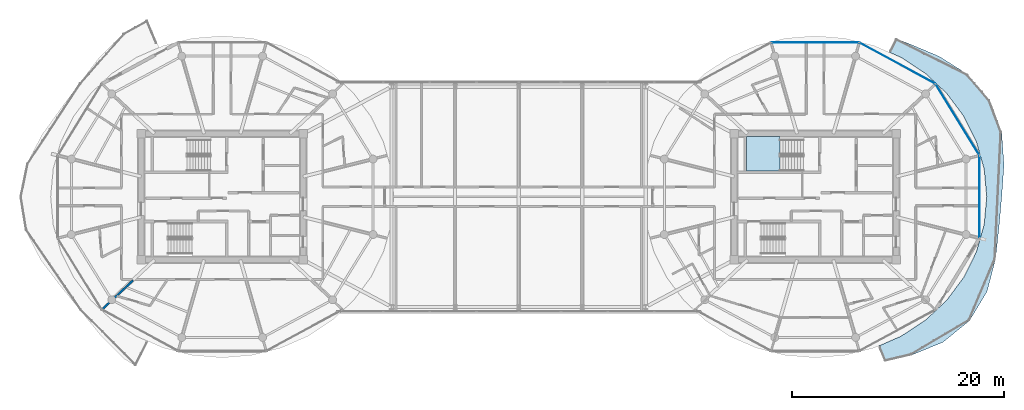
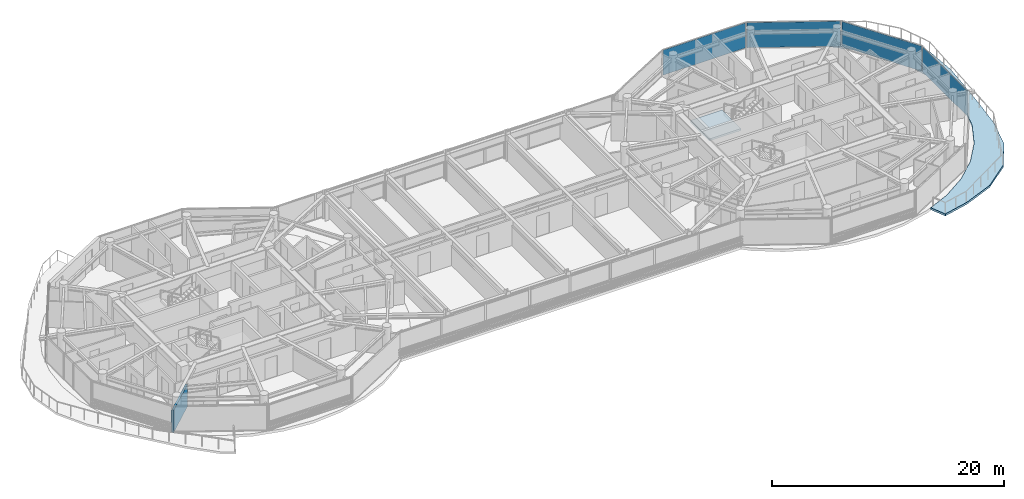
# One storey, part 13 of 23: 4 plates, 2 slabs, 1 wall, 5 elements without a shape of their own.
"""IFC4 building model written with IfcOpenShell, lengths in metres."""

from ifc_helpers import new_model, si_unit, direction, frame, frame_2d, origin, origin_2d, place, context, subcontext, project, spatial, polyline, rectangle, outline, extrude, source, transform, mapped, material, layer, layer_set, type_object, type_shapes, element, aggregate, save


model = new_model("IFC4")

# Units and contexts
model_context = context("Model", 3, precision=1e-05, world=origin(), true_north=direction((0.0, 1.0)))
body_context = subcontext(model_context, "Body", "Model", "MODEL_VIEW")
ifc_project = project(units=[si_unit("LENGTHUNIT", "METRE"), si_unit("AREAUNIT", "SQUARE_METRE"), si_unit("VOLUMEUNIT", "CUBIC_METRE"), si_unit("PLANEANGLEUNIT", "RADIAN"), si_unit("MASSUNIT", "GRAM", prefix="KILO")], contexts=[model_context])

# Site, building, storey
site_placement = place(None, origin())
site = spatial("IfcSite", under=ifc_project, at=site_placement, CompositionType="ELEMENT")
building_placement = place(site_placement, origin())
building = spatial("IfcBuilding", under=site, at=building_placement, Name="Norrkilde Senior Care Towers", CompositionType="ELEMENT")
storey_placement = place(building_placement, frame((0.0, 0.0, 207.800048828125)))
storey = spatial("IfcBuildingStorey", under=building, at=storey_placement, Name="L64", CompositionType="ELEMENT", Elevation=207.800048828125)

# Slab
ifc_material_1 = material(Name="Concrete C50/60", Category="concrete")
ifc_layer_1 = layer(ifc_material_1, 0.215087890625)
ifc_layer_set_1 = layer_set([ifc_layer_1], Name="Concrete C50/60")
slab_type_1 = type_object("IfcSlabType", Name="Sinusoidal Balcony Ribbon Slab 215", PredefinedType="FLOOR", material=ifc_layer_set_1)
slab_1_placement = place(storey_placement, frame((0.0, 0.0, -0.215087890625)))
element("IfcSlab", 1, at=slab_1_placement, inside=storey, type_object=slab_type_1, Name="L64 Drum E Swirling Senior Balcony 1", PredefinedType="FLOOR", context=body_context, shape_type="SweptSolid", body=[
    extrude(outline(polyline([(42.570068359375, -11.702392578125), (40.060791015625, -13.736572265625), (37.073486328125, -14.9609375), (34.580322265625, -15.55322265625), (33.966552734375, -14.1025390625), (36.1025390625, -13.16796875), (38.416259765625, -11.647705078125), (40.413818359375, -9.773681640625), (42.033935546875, -7.6025390625), (43.227783203125, -5.200439453125), (43.958740234375, -2.640380859375), (44.205078125, 0.0), (43.958740234375, 2.640380859375), (43.227783203125, 5.200439453125), (42.033935546875, 7.6025390625), (40.413818359375, 9.773681640625), (38.416259765625, 11.647705078125), (36.1025390625, 13.16796875), (34.976806640625, 13.660400390625), (35.631103515625, 14.94140625), (36.8134765625, 14.480712890625), (39.6943359375, 13.27099609375), (42.409423828125, 11.55859375), (44.495849609375, 9.11767578125), (45.608154296875, 6.1240234375), (45.832275390625, 2.992431640625), (45.616943359375, 0.0), (45.357666015625, -2.9033203125), (45.029296875, -5.8994140625), (44.227294921875, -8.952392578125), (42.570068359375, -11.702392578125)])), origin(), (0.0, 0.0, 1.0), 0.215087890625),
])

# Stair, slab
ifc_material_2 = material(Name="Concrete C45/55", Category="concrete")
stair_type = type_object("IfcStairType", Name="Core Protected Dogleg Stair Typical 3050", PredefinedType="HALF_TURN_STAIR", material=ifc_material_2)
stair_placement = place(storey_placement, origin())
stair = element("IfcStair", 2, at=stair_placement, inside=storey, type_object=stair_type, Name="L64 Protected Core Stair E1", PredefinedType="HALF_TURN_STAIR")
ifc_layer_2 = layer(ifc_material_2, 0.199951171875)
ifc_layer_set_2 = layer_set([ifc_layer_2], Name="Concrete C45/55")
slab_type_2 = type_object("IfcSlabType", Name="Stair Landing Slab 200", PredefinedType="LANDING", material=ifc_layer_set_2)
slab_2_placement = place(storey_placement, frame((0.0, 0.0, 1.324951171875)))
slab_2 = element("IfcSlab", 3, at=slab_2_placement, type_object=slab_type_2, Name="ST-E1 landing 1", PredefinedType="LANDING", context=body_context, shape_type="SweptSolid", body=[
    extrude(outline(polyline([(24.659912109375, 5.68994140625), (21.5, 5.68994140625), (21.5, 2.449951171875), (24.659912109375, 2.449951171875), (24.659912109375, 5.68994140625)])), origin(), (0.0, 0.0, 1.0), 0.199951171875),
])
aggregate(stair, [slab_2])

# Curtain wall, plate
ifc_material_3 = material(Name="Triple Low-E Insulated Glazing", Category="glass")
ifc_layer_3 = layer(ifc_material_3, 0.18505859375)
ifc_layer_set_3 = layer_set([ifc_layer_3], Name="Triple Low-E Insulated Glazing")
curtain_wall_type = type_object("IfcCurtainWallType", Name="CW6 Zone 4 Crown Pavilion Curtain Wall", PredefinedType="NOTDEFINED", material=ifc_layer_set_3)
curtain_wall_1_placement = place(storey_placement, origin())
curtain_wall_1 = element("IfcCurtainWall", 4, at=curtain_wall_1_placement, inside=storey, type_object=curtain_wall_type, Name="L64 Drum E Curtain Wall 00", PredefinedType="NOTDEFINED")
ifc_layer_4 = layer(ifc_material_3, 0.035888671875)
ifc_layer_set_4 = layer_set([ifc_layer_4], Name="Triple Low-E Insulated Glazing")
plate_type = type_object("IfcPlateType", Name="Triple Low-E Vision Curtain Panel 36", PredefinedType="CURTAIN_PANEL", material=ifc_layer_set_4)
shared_shape_1 = source(origin(), body_context, "Body", "SweptSolid", [
    extrude(rectangle(XDim=7.80859375, YDim=0.035888671875, at=origin_2d()), origin(), (0.0, 0.0, 1.0), 2.639892578125),
])
plate_1_placement = place(storey_placement, frame((41.451171875, 7.282958984375, 0.06005859375), z_axis=(0.0, 0.0, 1.0), x_axis=(0.524252726748, -0.851562727283, 0.0)))
plate_1 = element("IfcPlate", 5, at=plate_1_placement, type_object=plate_type, Name="CW-6 panel 1.1", PredefinedType="CURTAIN_PANEL", context=body_context, shape_type="MappedRepresentation", body=[
    mapped(shared_shape_1, transform((0.0, 0.0, 0.0), x_axis=(1.0, 0.0, 0.0), y_axis=(0.0, 1.0, 0.0), z_axis=(0.0, 0.0, 1.0), scale=1.0)),
])
aggregate(curtain_wall_1, [plate_1])

curtain_wall_2_placement = place(storey_placement, origin())
curtain_wall_2 = element("IfcCurtainWall", 6, at=curtain_wall_2_placement, inside=storey, type_object=curtain_wall_type, Name="L64 Drum E Curtain Wall 01", PredefinedType="NOTDEFINED")
shared_shape_2 = source(origin(), body_context, "Body", "SweptSolid", [
    extrude(rectangle(XDim=8.0673828125, YDim=0.035888671875, at=origin_2d()), origin(), (0.0, 0.0, 1.0), 2.639892578125),
])
plate_2_placement = place(storey_placement, frame((35.76611328125, 12.61474609375, 0.06005859375), z_axis=(0.0, 0.0, 1.0), x_axis=(0.879373455772, -0.476132676136, 0.0)))
plate_2 = element("IfcPlate", 7, at=plate_2_placement, type_object=plate_type, Name="CW-6 panel 1.1", PredefinedType="CURTAIN_PANEL", context=body_context, shape_type="MappedRepresentation", body=[
    mapped(shared_shape_2, transform((0.0, 0.0, 0.0), x_axis=(1.0, 0.0, 0.0), y_axis=(0.0, 1.0, 0.0), z_axis=(0.0, 0.0, 1.0), scale=1.0)),
])
aggregate(curtain_wall_2, [plate_2])

curtain_wall_3_placement = place(storey_placement, origin())
curtain_wall_3 = element("IfcCurtainWall", 8, at=curtain_wall_3_placement, inside=storey, type_object=curtain_wall_type, Name="L64 Drum E Curtain Wall 02", PredefinedType="NOTDEFINED")
shared_shape_3 = source(origin(), body_context, "Body", "SweptSolid", [
    extrude(rectangle(XDim=8.193603515625, YDim=0.035888671875, at=origin_2d()), origin(), (0.0, 0.0, 1.0), 2.639892578125),
])
plate_3_placement = place(storey_placement, frame((28.0, 14.566162109375, 0.06005859375), z_axis=(0.0, 0.0, 1.0), x_axis=(1.0, 0.0, 0.0)))
plate_3 = element("IfcPlate", 9, at=plate_3_placement, type_object=plate_type, Name="CW-6 panel 1.1", PredefinedType="CURTAIN_PANEL", context=body_context, shape_type="MappedRepresentation", body=[
    mapped(shared_shape_3, transform((0.0, 0.0, 0.0), x_axis=(1.0, 0.0, 0.0), y_axis=(0.0, 1.0, 0.0), z_axis=(0.0, 0.0, 1.0), scale=1.0)),
])
aggregate(curtain_wall_3, [plate_3])

curtain_wall_4_placement = place(storey_placement, origin())
curtain_wall_4 = element("IfcCurtainWall", 10, at=curtain_wall_4_placement, inside=storey, type_object=curtain_wall_type, Name="L64 Drum E Curtain Wall 11", PredefinedType="NOTDEFINED")
shared_shape_4 = source(origin(), body_context, "Body", "SweptSolid", [
    extrude(rectangle(XDim=7.676025390625, YDim=0.035888671875, at=origin_2d()), origin(), (0.0, 0.0, 1.0), 2.639892578125),
])
type_shapes(plate_type, [shared_shape_1, shared_shape_2, shared_shape_3, shared_shape_4])
plate_4_placement = place(storey_placement, frame((43.531982421875, 0.0, 0.06005859375), z_axis=(0.0, 0.0, 1.0), x_axis=(0.0, -1.0, 0.0)))
plate_4 = element("IfcPlate", 11, at=plate_4_placement, type_object=plate_type, Name="CW-6 panel 1.1", PredefinedType="CURTAIN_PANEL", context=body_context, shape_type="MappedRepresentation", body=[
    mapped(shared_shape_4, transform((0.0, 0.0, 0.0), x_axis=(1.0, 0.0, 0.0), y_axis=(0.0, 1.0, 0.0), z_axis=(0.0, 0.0, 1.0), scale=1.0)),
])
aggregate(curtain_wall_4, [plate_4])

# Wall
ifc_material_4 = material(Name="Gypsum Acoustic Board")
ifc_layer_5 = layer(ifc_material_4, 0.18994140625)
ifc_layer_set_5 = layer_set([ifc_layer_5], Name="Gypsum Acoustic Board")
wall_type = type_object("IfcWallType", Name="Unit Demising Acoustic Wall 190", PredefinedType="PARTITIONING", material=ifc_layer_set_5)
shared_shape_5 = source(origin(), body_context, "Body", "SweptSolid", [
    extrude(rectangle(XDim=4.089111328125, YDim=0.18994140625, at=frame_2d((2.04443359375, 0.0))), origin(), (0.0, 0.0, 1.0), 2.344970703125),
])
type_shapes(wall_type, [shared_shape_5])
wall_placement = place(storey_placement, frame((-36.40185546875, -7.8798828125, 0.0), z_axis=(0.0, 0.0, 1.0), x_axis=(-0.729401273609, -0.684086092577, 0.0)))
element("IfcWall", 12, at=wall_placement, inside=storey, type_object=wall_type, Name="WL-INT-L64-W-DEM-07-0", PredefinedType="PARTITIONING", context=body_context, shape_type="MappedRepresentation", body=[
    mapped(shared_shape_5, transform((0.0, 0.0, 0.0), x_axis=(1.0, 0.0, 0.0), y_axis=(0.0, 1.0, 0.0), z_axis=(0.0, 0.0, 1.0), scale=1.0)),
])

save(model, "model.ifc")
